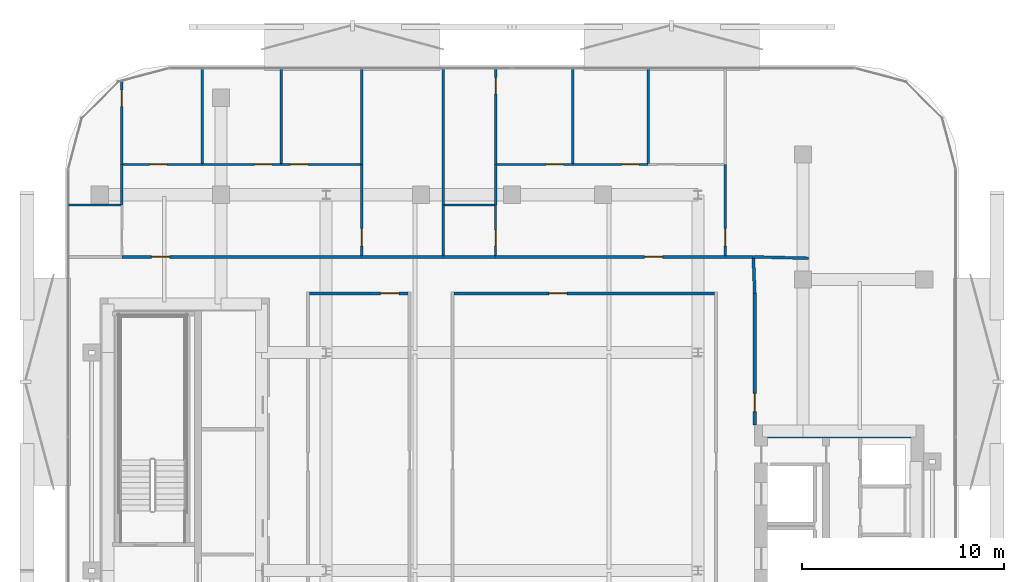
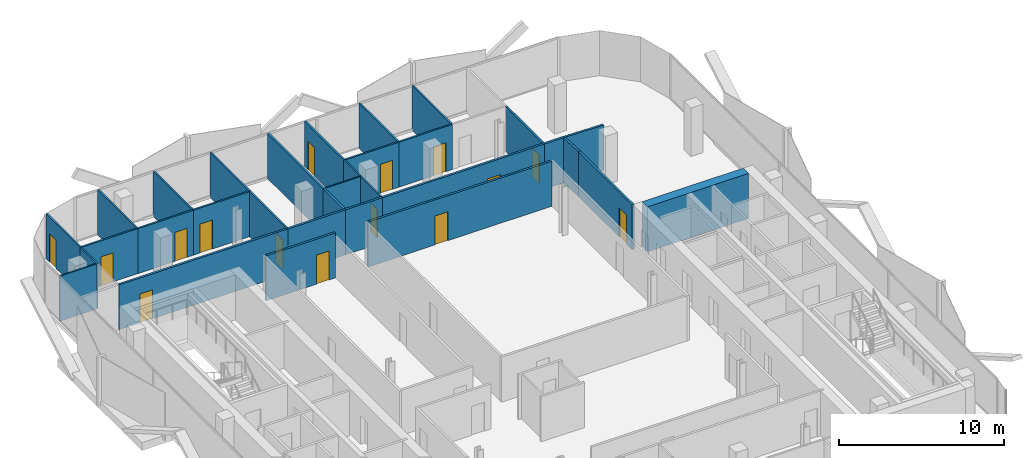
# One storey, part 6 of 14: 32 walls, 15 doors, 15 openings.
"""IFC4 building model written with IfcOpenShell, lengths in metres."""

from ifc_helpers import new_model, si_unit, direction, frame, frame_2d, origin, place, context, subcontext, project, spatial, rectangle, extrude, material, layer, layer_set, type_object, element, fill, save


model = new_model("IFC4")

# Units and contexts
model_context = context("Model", 3, precision=1e-05, world=origin(), true_north=direction((0.0, 1.0)))
body_context = subcontext(model_context, "Body", "Model", "MODEL_VIEW")
ifc_project = project(units=[si_unit("LENGTHUNIT", "METRE"), si_unit("AREAUNIT", "SQUARE_METRE"), si_unit("VOLUMEUNIT", "CUBIC_METRE"), si_unit("PLANEANGLEUNIT", "RADIAN"), si_unit("MASSUNIT", "GRAM", prefix="KILO")], contexts=[model_context])

# Site, building, storey
site_placement = place(None, origin())
site = spatial("IfcSite", under=ifc_project, at=site_placement, CompositionType="ELEMENT")
building_placement = place(site_placement, origin())
building = spatial("IfcBuilding", under=site, at=building_placement, Name="Khairoan Windgate Tower", CompositionType="ELEMENT")
storey_placement = place(building_placement, frame((0.0, 0.0, 229.60009765625)))
storey = spatial("IfcBuildingStorey", under=building, at=storey_placement, Name="L53", CompositionType="ELEMENT", Elevation=229.60009765625)

# Walls
ifc_material_1 = material(Name="Moisture-Resistant Gypsum Partition", Category="gypsum")
ifc_layer_1 = layer(ifc_material_1, 0.10009765625, Name="Moisture-Resistant Gypsum Partition")
ifc_layer_set_1 = layer_set([ifc_layer_1], Name="Moisture-Resistant Gypsum Partition")
wall_type_1 = type_object("IfcWallType", Name="Bathroom Wet-Area Partition Wall", PredefinedType="PARTITIONING", material=ifc_layer_set_1)
wall_1_placement = place(storey_placement, frame((-21.955078125, 18.10009765625, 0.0), z_axis=(0.0, 0.0, 1.0), x_axis=(1.0, 0.0, 0.0)))
element("IfcWall", 1, at=wall_1_placement, inside=storey, type_object=wall_type_1, Name="L53 Interior Partition 040", PredefinedType="PARTITIONING", context=body_context, shape_type="SweptSolid", body=[
    extrude(rectangle(XDim=2.594970703125, YDim=0.10009765625, at=frame_2d((1.29736328125, 0.0))), origin(), (0.0, 0.0, 1.0), 3.33984375),
])
wall_2_placement = place(storey_placement, frame((-3.330078125, 18.10009765625, 0.0), z_axis=(0.0, 0.0, 1.0), x_axis=(1.0, 0.0, 0.0)))
element("IfcWall", 2, at=wall_2_placement, inside=storey, type_object=wall_type_1, Name="L53 Interior Partition 053", PredefinedType="PARTITIONING", context=body_context, shape_type="SweptSolid", body=[
    extrude(rectangle(XDim=2.469970703125, YDim=0.10009765625, at=frame_2d((1.23486328125, 0.0))), origin(), (0.0, 0.0, 1.0), 3.33984375),
])

# Wall, opening, door
wall_3_placement = place(storey_placement, frame((-0.81005859375, 15.60009765625, 0.0), z_axis=(0.0, 0.0, 1.0), x_axis=(0.0, 1.0, 0.0)))
wall_3 = element("IfcWall", 3, at=wall_3_placement, inside=storey, type_object=wall_type_1, Name="L53 Interior Partition 054", PredefinedType="PARTITIONING", context=body_context, shape_type="SweptSolid", body=[
    extrude(rectangle(XDim=2.5, YDim=0.10009765625, at=frame_2d((1.25, 0.0))), origin(), (0.0, 0.0, 1.0), 3.33984375),
])
opening_1_placement = place(wall_3_placement, frame((0.4599609375, 0.0, 0.0)))
opening_1 = element("IfcOpeningElement", 4, at=opening_1_placement, cuts=wall_3, Name="Opening ID-BTH", PredefinedType="OPENING", context=body_context, shape_type="SweptSolid", body=[
    extrude(rectangle(XDim=0.800048828125, YDim=2.10009765625, at=frame_2d((0.39990234375, 1.050048828125))), frame((0.0, 0.06005859375, 0.0), z_axis=(0.0, -1.0, 0.0), x_axis=(1.0, 0.0, 0.0)), (0.0, 0.0, 1.0), 0.1201171875),
])
ifc_material_2 = material(Name="Teak Veneer Timber Leaf", Category="wood")
door_type_1 = type_object("IfcDoorType", Name="Internal Bathroom Door ID-BTH 800x2100", OperationType="NOTDEFINED", PredefinedType="DOOR", material=ifc_material_2)
door_1_placement = place(opening_1_placement, origin())
door_1 = element("IfcDoor", 5, at=door_1_placement, inside=storey, type_object=door_type_1, Name="L53 L53-40-L53-42 Door", OperationType="SINGLE_SWING_RIGHT", OverallHeight=2.10009765625, OverallWidth=0.800048828125, PredefinedType="DOOR", context=body_context, shape_type="SweptSolid", body=[
    extrude(rectangle(XDim=0.800048828125, YDim=2.10009765625, at=frame_2d((0.39990234375, 1.050048828125))), frame((0.0, 0.02490234375, 0.0), z_axis=(0.0, -1.0, 0.0), x_axis=(1.0, 0.0, 0.0)), (0.0, 0.0, 1.0), 0.050048828125),
])
fill(opening_1, door_1)

# Walls
ifc_material_3 = material(Name="Acoustic Fire-Rated Gypsum Partition", Category="gypsum")
ifc_layer_2 = layer(ifc_material_3, 0.139892578125, Name="Acoustic Fire-Rated Gypsum Partition")
ifc_layer_set_2 = layer_set([ifc_layer_2], Name="Acoustic Fire-Rated Gypsum Partition")
wall_type_2 = type_object("IfcWallType", Name="Inter-Tenancy Compartment Wall", PredefinedType="PARTITIONING", material=ifc_layer_set_2)
wall_4_placement = place(storey_placement, frame((-3.39990234375, 15.60009765625, 0.0), z_axis=(0.0, 0.0, 1.0), x_axis=(0.0, 1.0, 0.0)))
element("IfcWall", 6, at=wall_4_placement, inside=storey, type_object=wall_type_2, Name="L53 Interior Partition 049", PredefinedType="PARTITIONING", context=body_context, shape_type="SweptSolid", body=[
    extrude(rectangle(XDim=2.5, YDim=0.139892578125, at=frame_2d((1.25, 0.0))), origin(), (0.0, 0.0, 1.0), 3.33984375),
])
wall_5_placement = place(storey_placement, frame((-3.39990234375, 18.10009765625, 0.0), z_axis=(0.0, 0.0, 1.0), x_axis=(0.0, 1.0, 0.0)))
element("IfcWall", 7, at=wall_5_placement, inside=storey, type_object=wall_type_2, Name="L53 Interior Partition 050", PredefinedType="PARTITIONING", context=body_context, shape_type="SweptSolid", body=[
    extrude(rectangle(XDim=6.7548828125, YDim=0.139892578125, at=frame_2d((3.37744140625, 0.0))), origin(), (0.0, 0.0, 1.0), 3.33984375),
])
wall_6_placement = place(storey_placement, frame((11.93994140625, 15.52490234375, 0.0), z_axis=(0.0, 0.0, 1.0), x_axis=(0.999719241816, -0.023694673289, 0.0)))
element("IfcWall", 8, at=wall_6_placement, inside=storey, type_object=wall_type_2, Name="L53 Interior Partition 062", PredefinedType="PARTITIONING", context=body_context, shape_type="SweptSolid", body=[
    extrude(rectangle(XDim=2.74072265625, YDim=0.139892578125, at=frame_2d((1.370361328125, 0.0))), origin(), (0.0, 0.0, 1.0), 3.33984375),
])
ifc_material_4 = material(Name="Gypsum Stud Partition", Category="gypsum")
ifc_layer_3 = layer(ifc_material_4, 0.1201171875, Name="Gypsum Stud Partition")
ifc_layer_set_3 = layer_set([ifc_layer_3], Name="Gypsum Stud Partition")
wall_type_3 = type_object("IfcWallType", Name="Internal Room Partition Wall", PredefinedType="PARTITIONING", material=ifc_layer_set_3)
wall_7_placement = place(storey_placement, frame((-19.31005859375, 18.10009765625, 0.0), z_axis=(0.0, 0.0, 1.0), x_axis=(0.0, 1.0, 0.0)))
element("IfcWall", 9, at=wall_7_placement, inside=storey, type_object=wall_type_3, Name="L53 Interior Partition 042", PredefinedType="PARTITIONING", context=body_context, shape_type="SweptSolid", body=[
    extrude(rectangle(XDim=2.0, YDim=0.1201171875, at=frame_2d((1.0, 0.0))), origin(), (0.0, 0.0, 1.0), 3.33984375),
])

# Wall, opening, door
wall_8_placement = place(storey_placement, frame((-19.31005859375, 20.10009765625, 0.0), z_axis=(0.0, 0.0, 1.0), x_axis=(0.0, 1.0, 0.0)))
wall_8 = element("IfcWall", 10, at=wall_8_placement, inside=storey, type_object=wall_type_3, Name="L53 Interior Partition 043", PredefinedType="PARTITIONING", context=body_context, shape_type="SweptSolid", body=[
    extrude(rectangle(XDim=4.134521484375, YDim=0.1201171875, at=frame_2d((2.0673828125, 0.0))), origin(), (0.0, 0.0, 1.0), 3.33984375),
])
opening_2_placement = place(wall_8_placement, frame((2.874755859375, 0.0, 0.0)))
opening_2 = element("IfcOpeningElement", 11, at=opening_2_placement, cuts=wall_8, Name="Opening ID-BTH", PredefinedType="OPENING", context=body_context, shape_type="SweptSolid", body=[
    extrude(rectangle(XDim=0.800048828125, YDim=2.10009765625, at=frame_2d((0.39990234375, 1.050048828125))), frame((0.0, 0.070068359375, 0.0), z_axis=(0.0, -1.0, 0.0), x_axis=(1.0, 0.0, 0.0)), (0.0, 0.0, 1.0), 0.14013671875),
])
door_2_placement = place(opening_2_placement, origin())
door_2 = element("IfcDoor", 12, at=door_2_placement, inside=storey, type_object=door_type_1, Name="L53 L53-34-L53-37 Door", OperationType="SINGLE_SWING_RIGHT", OverallHeight=2.10009765625, OverallWidth=0.800048828125, PredefinedType="DOOR", context=body_context, shape_type="SweptSolid", body=[
    extrude(rectangle(XDim=0.800048828125, YDim=2.10009765625, at=frame_2d((0.39990234375, 1.050048828125))), frame((0.0, 0.02490234375, 0.0), z_axis=(0.0, -1.0, 0.0), x_axis=(1.0, 0.0, 0.0)), (0.0, 0.0, 1.0), 0.050048828125),
])
fill(opening_2, door_2)

wall_9_placement = place(storey_placement, frame((-7.43994140625, 15.60009765625, 0.0), z_axis=(0.0, 0.0, 1.0), x_axis=(0.0, 1.0, 0.0)))
wall_9 = element("IfcWall", 13, at=wall_9_placement, inside=storey, type_object=wall_type_3, Name="L53 Interior Partition 044", PredefinedType="PARTITIONING", context=body_context, shape_type="SweptSolid", body=[
    extrude(rectangle(XDim=4.5, YDim=0.1201171875, at=frame_2d((2.25, 0.0))), origin(), (0.0, 0.0, 1.0), 3.33984375),
])
opening_3_placement = place(wall_9_placement, frame((0.4599609375, 0.0, 0.0)))
opening_3 = element("IfcOpeningElement", 14, at=opening_3_placement, cuts=wall_9, Name="Opening ID-RM", PredefinedType="OPENING", context=body_context, shape_type="SweptSolid", body=[
    extrude(rectangle(XDim=0.860107421875, YDim=2.14990234375, at=frame_2d((0.43017578125, 1.074951171875))), frame((0.0, 0.070068359375, 0.0), z_axis=(0.0, -1.0, 0.0), x_axis=(1.0, 0.0, 0.0)), (0.0, 0.0, 1.0), 0.14013671875),
])
ifc_material_5 = material(Name="Teak Veneer Timber Leaf", Category="wood")
door_type_2 = type_object("IfcDoorType", Name="Internal Bedroom and Office Door ID-RM 860x2150", OperationType="NOTDEFINED", PredefinedType="DOOR", material=ifc_material_5)
door_3_placement = place(opening_3_placement, origin())
door_3 = element("IfcDoor", 15, at=door_3_placement, inside=storey, type_object=door_type_2, Name="L53 L53-35-L53-36 Door", OperationType="SINGLE_SWING_RIGHT", OverallHeight=2.14990234375, OverallWidth=0.860107421875, PredefinedType="DOOR", context=body_context, shape_type="SweptSolid", body=[
    extrude(rectangle(XDim=0.860107421875, YDim=2.14990234375, at=frame_2d((0.43017578125, 1.074951171875))), frame((0.0, 0.02490234375, 0.0), z_axis=(0.0, -1.0, 0.0), x_axis=(1.0, 0.0, 0.0)), (0.0, 0.0, 1.0), 0.050048828125),
])
fill(opening_3, door_3)

wall_10_placement = place(storey_placement, frame((-19.25, 20.10009765625, 0.0), z_axis=(0.0, 0.0, 1.0), x_axis=(1.0, 0.0, 0.0)))
wall_10 = element("IfcWall", 16, at=wall_10_placement, inside=storey, type_object=wall_type_3, Name="L53 Interior Partition 045", PredefinedType="PARTITIONING", context=body_context, shape_type="SweptSolid", body=[
    extrude(rectangle(XDim=3.923095703125, YDim=0.1201171875, at=frame_2d((1.96142578125, 0.0))), origin(), (0.0, 0.0, 1.0), 3.33984375),
])
opening_4_placement = place(wall_10_placement, frame((1.317138671875, 0.0, 0.0)))
opening_4 = element("IfcOpeningElement", 17, at=opening_4_placement, cuts=wall_10, Name="Opening ID-RM", PredefinedType="OPENING", context=body_context, shape_type="SweptSolid", body=[
    extrude(rectangle(XDim=0.860107421875, YDim=2.14990234375, at=frame_2d((0.43017578125, 1.074951171875))), frame((0.0, 0.070068359375, 0.0), z_axis=(0.0, -1.0, 0.0), x_axis=(1.0, 0.0, 0.0)), (0.0, 0.0, 1.0), 0.14013671875),
])
door_4_placement = place(opening_4_placement, origin())
door_4 = element("IfcDoor", 18, at=door_4_placement, inside=storey, type_object=door_type_2, Name="L53 L53-35-L53-37 Door", OperationType="SINGLE_SWING_LEFT", OverallHeight=2.14990234375, OverallWidth=0.860107421875, PredefinedType="DOOR", context=body_context, shape_type="SweptSolid", body=[
    extrude(rectangle(XDim=0.860107421875, YDim=2.14990234375, at=frame_2d((0.43017578125, 1.074951171875))), frame((0.0, 0.02490234375, 0.0), z_axis=(0.0, -1.0, 0.0), x_axis=(1.0, 0.0, 0.0)), (0.0, 0.0, 1.0), 0.050048828125),
])
fill(opening_4, door_4)

wall_11_placement = place(storey_placement, frame((-15.326904296875, 20.10009765625, 0.0), z_axis=(0.0, 0.0, 1.0), x_axis=(1.0, 0.0, 0.0)))
wall_11 = element("IfcWall", 19, at=wall_11_placement, inside=storey, type_object=wall_type_3, Name="L53 Interior Partition 046", PredefinedType="PARTITIONING", context=body_context, shape_type="SweptSolid", body=[
    extrude(rectangle(XDim=3.90380859375, YDim=0.1201171875, at=frame_2d((1.951904296875, 0.0))), origin(), (0.0, 0.0, 1.0), 3.33984375),
])
opening_5_placement = place(wall_11_placement, frame((2.583984375, 0.0, 0.0)))
opening_5 = element("IfcOpeningElement", 20, at=opening_5_placement, cuts=wall_11, Name="Opening ID-RM", PredefinedType="OPENING", context=body_context, shape_type="SweptSolid", body=[
    extrude(rectangle(XDim=0.860107421875, YDim=2.14990234375, at=frame_2d((0.43017578125, 1.074951171875))), frame((0.0, 0.070068359375, 0.0), z_axis=(0.0, -1.0, 0.0), x_axis=(1.0, 0.0, 0.0)), (0.0, 0.0, 1.0), 0.14013671875),
])
door_5_placement = place(opening_5_placement, origin())
door_5 = element("IfcDoor", 21, at=door_5_placement, inside=storey, type_object=door_type_2, Name="L53 L53-35-L53-38 Door", OperationType="SINGLE_SWING_RIGHT", OverallHeight=2.14990234375, OverallWidth=0.860107421875, PredefinedType="DOOR", context=body_context, shape_type="SweptSolid", body=[
    extrude(rectangle(XDim=0.860107421875, YDim=2.14990234375, at=frame_2d((0.43017578125, 1.074951171875))), frame((0.0, 0.02490234375, 0.0), z_axis=(0.0, -1.0, 0.0), x_axis=(1.0, 0.0, 0.0)), (0.0, 0.0, 1.0), 0.050048828125),
])
fill(opening_5, door_5)

wall_12_placement = place(storey_placement, frame((-11.423095703125, 20.10009765625, 0.0), z_axis=(0.0, 0.0, 1.0), x_axis=(1.0, 0.0, 0.0)))
wall_12 = element("IfcWall", 22, at=wall_12_placement, inside=storey, type_object=wall_type_3, Name="L53 Interior Partition 047", PredefinedType="PARTITIONING", context=body_context, shape_type="SweptSolid", body=[
    extrude(rectangle(XDim=3.923095703125, YDim=0.1201171875, at=frame_2d((1.96142578125, 0.0))), origin(), (0.0, 0.0, 1.0), 3.33984375),
])
opening_6_placement = place(wall_12_placement, frame((0.4599609375, 0.0, 0.0)))
opening_6 = element("IfcOpeningElement", 23, at=opening_6_placement, cuts=wall_12, Name="Opening ID-RM", PredefinedType="OPENING", context=body_context, shape_type="SweptSolid", body=[
    extrude(rectangle(XDim=0.860107421875, YDim=2.14990234375, at=frame_2d((0.43017578125, 1.074951171875))), frame((0.0, 0.070068359375, 0.0), z_axis=(0.0, -1.0, 0.0), x_axis=(1.0, 0.0, 0.0)), (0.0, 0.0, 1.0), 0.14013671875),
])
door_6_placement = place(opening_6_placement, origin())
door_6 = element("IfcDoor", 24, at=door_6_placement, inside=storey, type_object=door_type_2, Name="L53 L53-35-L53-39 Door", OperationType="SINGLE_SWING_LEFT", OverallHeight=2.14990234375, OverallWidth=0.860107421875, PredefinedType="DOOR", context=body_context, shape_type="SweptSolid", body=[
    extrude(rectangle(XDim=0.860107421875, YDim=2.14990234375, at=frame_2d((0.43017578125, 1.074951171875))), frame((0.0, 0.02490234375, 0.0), z_axis=(0.0, -1.0, 0.0), x_axis=(1.0, 0.0, 0.0)), (0.0, 0.0, 1.0), 0.050048828125),
])
fill(opening_6, door_6)

# Walls
wall_13_placement = place(storey_placement, frame((-7.43994140625, 20.10009765625, 0.0), z_axis=(0.0, 0.0, 1.0), x_axis=(0.0, 1.0, 0.0)))
element("IfcWall", 25, at=wall_13_placement, inside=storey, type_object=wall_type_3, Name="L53 Interior Partition 048", PredefinedType="PARTITIONING", context=body_context, shape_type="SweptSolid", body=[
    extrude(rectangle(XDim=4.7548828125, YDim=0.1201171875, at=frame_2d((2.37744140625, 0.0))), origin(), (0.0, 0.0, 1.0), 3.33984375),
])
for number, where, z_axis, x_axis, name in (
    (26, (-15.326904296875, 20.159912109375, 0.0), (0.0, 0.0, 1.0), (0.0, 1.0, 0.0), "L53 Interior Partition 051"),
    (27, (-11.423095703125, 20.159912109375, 0.0), (0.0, 0.0, 1.0), (0.0, 1.0, 0.0), "L53 Interior Partition 052"),
):
    element("IfcWall", number, at=place(storey_placement, frame(where, z_axis=z_axis, x_axis=x_axis)), inside=storey, type_object=wall_type_3, Name=name, PredefinedType="PARTITIONING", context=body_context, shape_type="SweptSolid", body=[
        extrude(rectangle(XDim=4.695068359375, YDim=0.1201171875, at=frame_2d((2.34765625, 0.0))), origin(), (0.0, 0.0, 1.0), 3.33984375),
    ])
wall_14_placement = place(storey_placement, frame((-0.81005859375, 18.10009765625, 0.0), z_axis=(0.0, 0.0, 1.0), x_axis=(0.0, 1.0, 0.0)))
element("IfcWall", 28, at=wall_14_placement, inside=storey, type_object=wall_type_3, Name="L53 Interior Partition 055", PredefinedType="PARTITIONING", context=body_context, shape_type="SweptSolid", body=[
    extrude(rectangle(XDim=2.0, YDim=0.1201171875, at=frame_2d((1.0, 0.0))), origin(), (0.0, 0.0, 1.0), 3.33984375),
])

# Wall, opening, door
wall_15_placement = place(storey_placement, frame((-0.81005859375, 20.10009765625, 0.0), z_axis=(0.0, 0.0, 1.0), x_axis=(0.0, 1.0, 0.0)))
wall_15 = element("IfcWall", 29, at=wall_15_placement, inside=storey, type_object=wall_type_3, Name="L53 Interior Partition 056", PredefinedType="PARTITIONING", context=body_context, shape_type="SweptSolid", body=[
    extrude(rectangle(XDim=4.7548828125, YDim=0.1201171875, at=frame_2d((2.37744140625, 0.0))), origin(), (0.0, 0.0, 1.0), 3.33984375),
])
opening_7_placement = place(wall_15_placement, frame((3.4951171875, 0.0, 0.0)))
opening_7 = element("IfcOpeningElement", 30, at=opening_7_placement, cuts=wall_15, Name="Opening ID-BTH", PredefinedType="OPENING", context=body_context, shape_type="SweptSolid", body=[
    extrude(rectangle(XDim=0.800048828125, YDim=2.10009765625, at=frame_2d((0.39990234375, 1.050048828125))), frame((0.0, 0.070068359375, 0.0), z_axis=(0.0, -1.0, 0.0), x_axis=(1.0, 0.0, 0.0)), (0.0, 0.0, 1.0), 0.14013671875),
])
door_7_placement = place(opening_7_placement, origin())
door_7 = element("IfcDoor", 31, at=door_7_placement, inside=storey, type_object=door_type_1, Name="L53 L53-41-L53-44 Door", OperationType="SINGLE_SWING_LEFT", OverallHeight=2.10009765625, OverallWidth=0.800048828125, PredefinedType="DOOR", context=body_context, shape_type="SweptSolid", body=[
    extrude(rectangle(XDim=0.800048828125, YDim=2.10009765625, at=frame_2d((0.39990234375, 1.050048828125))), frame((0.0, 0.02490234375, 0.0), z_axis=(0.0, -1.0, 0.0), x_axis=(1.0, 0.0, 0.0)), (0.0, 0.0, 1.0), 0.050048828125),
])
fill(opening_7, door_7)

wall_16_placement = place(storey_placement, frame((10.56005859375, 15.60009765625, 0.0), z_axis=(0.0, 0.0, 1.0), x_axis=(0.0, 1.0, 0.0)))
wall_16 = element("IfcWall", 32, at=wall_16_placement, inside=storey, type_object=wall_type_3, Name="L53 Interior Partition 057", PredefinedType="PARTITIONING", context=body_context, shape_type="SweptSolid", body=[
    extrude(rectangle(XDim=4.5, YDim=0.1201171875, at=frame_2d((2.25, 0.0))), origin(), (0.0, 0.0, 1.0), 3.33984375),
])
opening_8_placement = place(wall_16_placement, frame((0.4599609375, 0.0, 0.0)))
opening_8 = element("IfcOpeningElement", 33, at=opening_8_placement, cuts=wall_16, Name="Opening ID-RM", PredefinedType="OPENING", context=body_context, shape_type="SweptSolid", body=[
    extrude(rectangle(XDim=0.860107421875, YDim=2.14990234375, at=frame_2d((0.43017578125, 1.074951171875))), frame((0.0, 0.070068359375, 0.0), z_axis=(0.0, -1.0, 0.0), x_axis=(1.0, 0.0, 0.0)), (0.0, 0.0, 1.0), 0.14013671875),
])
door_8_placement = place(opening_8_placement, origin())
door_8 = element("IfcDoor", 34, at=door_8_placement, inside=storey, type_object=door_type_2, Name="L53 L53-42-L53-43 Door", OperationType="SINGLE_SWING_RIGHT", OverallHeight=2.14990234375, OverallWidth=0.860107421875, PredefinedType="DOOR", context=body_context, shape_type="SweptSolid", body=[
    extrude(rectangle(XDim=0.860107421875, YDim=2.14990234375, at=frame_2d((0.43017578125, 1.074951171875))), frame((0.0, 0.02490234375, 0.0), z_axis=(0.0, -1.0, 0.0), x_axis=(1.0, 0.0, 0.0)), (0.0, 0.0, 1.0), 0.050048828125),
])
fill(opening_8, door_8)

wall_17_placement = place(storey_placement, frame((-0.75, 20.10009765625, 0.0), z_axis=(0.0, 0.0, 1.0), x_axis=(1.0, 0.0, 0.0)))
wall_17 = element("IfcWall", 35, at=wall_17_placement, inside=storey, type_object=wall_type_3, Name="L53 Interior Partition 058", PredefinedType="PARTITIONING", context=body_context, shape_type="SweptSolid", body=[
    extrude(rectangle(XDim=3.757080078125, YDim=0.1201171875, at=frame_2d((1.87841796875, 0.0))), origin(), (0.0, 0.0, 1.0), 3.33984375),
])
opening_9_placement = place(wall_17_placement, frame((2.43701171875, 0.0, 0.0)))
opening_9 = element("IfcOpeningElement", 36, at=opening_9_placement, cuts=wall_17, Name="Opening ID-RM", PredefinedType="OPENING", context=body_context, shape_type="SweptSolid", body=[
    extrude(rectangle(XDim=0.860107421875, YDim=2.14990234375, at=frame_2d((0.43017578125, 1.074951171875))), frame((0.0, 0.070068359375, 0.0), z_axis=(0.0, -1.0, 0.0), x_axis=(1.0, 0.0, 0.0)), (0.0, 0.0, 1.0), 0.14013671875),
])
door_9_placement = place(opening_9_placement, origin())
door_9 = element("IfcDoor", 37, at=door_9_placement, inside=storey, type_object=door_type_2, Name="L53 L53-42-L53-44 Door", OperationType="SINGLE_SWING_LEFT", OverallHeight=2.14990234375, OverallWidth=0.860107421875, PredefinedType="DOOR", context=body_context, shape_type="SweptSolid", body=[
    extrude(rectangle(XDim=0.860107421875, YDim=2.14990234375, at=frame_2d((0.43017578125, 1.074951171875))), frame((0.0, 0.02490234375, 0.0), z_axis=(0.0, -1.0, 0.0), x_axis=(1.0, 0.0, 0.0)), (0.0, 0.0, 1.0), 0.050048828125),
])
fill(opening_9, door_9)

wall_18_placement = place(storey_placement, frame((3.007080078125, 20.10009765625, 0.0), z_axis=(0.0, 0.0, 1.0), x_axis=(1.0, 0.0, 0.0)))
wall_18 = element("IfcWall", 38, at=wall_18_placement, inside=storey, type_object=wall_type_3, Name="L53 Interior Partition 059", PredefinedType="PARTITIONING", context=body_context, shape_type="SweptSolid", body=[
    extrude(rectangle(XDim=3.73583984375, YDim=0.1201171875, at=frame_2d((1.867919921875, 0.0))), origin(), (0.0, 0.0, 1.0), 3.33984375),
])
opening_10_placement = place(wall_18_placement, frame((2.416015625, 0.0, 0.0)))
opening_10 = element("IfcOpeningElement", 39, at=opening_10_placement, cuts=wall_18, Name="Opening ID-RM", PredefinedType="OPENING", context=body_context, shape_type="SweptSolid", body=[
    extrude(rectangle(XDim=0.860107421875, YDim=2.14990234375, at=frame_2d((0.43017578125, 1.074951171875))), frame((0.0, 0.070068359375, 0.0), z_axis=(0.0, -1.0, 0.0), x_axis=(1.0, 0.0, 0.0)), (0.0, 0.0, 1.0), 0.14013671875),
])
door_10_placement = place(opening_10_placement, origin())
door_10 = element("IfcDoor", 40, at=door_10_placement, inside=storey, type_object=door_type_2, Name="L53 L53-42-L53-45 Door", OperationType="SINGLE_SWING_RIGHT", OverallHeight=2.14990234375, OverallWidth=0.860107421875, PredefinedType="DOOR", context=body_context, shape_type="SweptSolid", body=[
    extrude(rectangle(XDim=0.860107421875, YDim=2.14990234375, at=frame_2d((0.43017578125, 1.074951171875))), frame((0.0, 0.02490234375, 0.0), z_axis=(0.0, -1.0, 0.0), x_axis=(1.0, 0.0, 0.0)), (0.0, 0.0, 1.0), 0.050048828125),
])
fill(opening_10, door_10)

# Walls
for number, where, z_axis, x_axis, name in (
    (41, (3.007080078125, 20.159912109375, 0.0), (0.0, 0.0, 1.0), (0.0, 1.0, 0.0), "L53 Interior Partition 063"),
    (42, (6.742919921875, 20.159912109375, 0.0), (0.0, 0.0, 1.0), (0.0, 1.0, 0.0), "L53 Interior Partition 064"),
):
    element("IfcWall", number, at=place(storey_placement, frame(where, z_axis=z_axis, x_axis=x_axis)), inside=storey, type_object=wall_type_3, Name=name, PredefinedType="PARTITIONING", context=body_context, shape_type="SweptSolid", body=[
        extrude(rectangle(XDim=4.695068359375, YDim=0.1201171875, at=frame_2d((2.34765625, 0.0))), origin(), (0.0, 0.0, 1.0), 3.33984375),
    ])

# Wall, opening, door
ifc_material_6 = material(Name="Acoustic Fire-Rated Gypsum Partition", Category="gypsum")
ifc_layer_4 = layer(ifc_material_6, 0.14990234375, Name="Acoustic Fire-Rated Gypsum Partition")
ifc_layer_set_4 = layer_set([ifc_layer_4], Name="Acoustic Fire-Rated Gypsum Partition")
wall_type_4 = type_object("IfcWallType", Name="Rated Corridor Partition Wall", PredefinedType="PARTITIONING", material=ifc_layer_set_4)
wall_19_placement = place(storey_placement, frame((12.014892578125, 7.199951171875, 0.0), z_axis=(0.0, 0.0, 1.0), x_axis=(0.0, 1.0, 0.0)))
wall_19 = element("IfcWall", 43, at=wall_19_placement, inside=storey, type_object=wall_type_4, Name="L53 Interior Partition 015", PredefinedType="PARTITIONING", context=body_context, shape_type="SweptSolid", body=[
    extrude(rectangle(XDim=6.52001953125, YDim=0.14990234375, at=frame_2d((3.260009765625, 0.0))), origin(), (0.0, 0.0, 1.0), 3.33984375),
])
opening_11_placement = place(wall_19_placement, frame((0.669921875, 0.0, 0.0)))
opening_11 = element("IfcOpeningElement", 44, at=opening_11_placement, cuts=wall_19, Name="Opening FD-ENT", PredefinedType="OPENING", context=body_context, shape_type="SweptSolid", body=[
    extrude(rectangle(XDim=0.89990234375, YDim=2.14990234375, at=frame_2d((0.449951171875, 1.074951171875))), frame((0.0, 0.0849609375, 0.0), z_axis=(0.0, -1.0, 0.0), x_axis=(1.0, 0.0, 0.0)), (0.0, 0.0, 1.0), 0.169921875),
])
ifc_material_7 = material(Name="Timber Fire-Rated Core", Category="wood")
door_type_3 = type_object("IfcDoorType", Name="Unit and Office Fire Entrance Door FD-ENT 900x2150", OperationType="NOTDEFINED", PredefinedType="DOOR", material=ifc_material_7)
door_11_placement = place(opening_11_placement, origin())
door_11 = element("IfcDoor", 45, at=door_11_placement, inside=storey, type_object=door_type_3, Name="L53 L53-28-L53-61 Door", OperationType="SINGLE_SWING_RIGHT", OverallHeight=2.14990234375, OverallWidth=0.89990234375, PredefinedType="DOOR", context=body_context, shape_type="SweptSolid", body=[
    extrude(rectangle(XDim=0.89990234375, YDim=2.14990234375, at=frame_2d((0.449951171875, 1.074951171875))), frame((0.0, 0.02490234375, 0.0), z_axis=(0.0, -1.0, 0.0), x_axis=(1.0, 0.0, 0.0)), (0.0, 0.0, 1.0), 0.050048828125),
])
fill(opening_11, door_11)

wall_20_placement = place(storey_placement, frame((-19.31005859375, 15.52490234375, 0.0), z_axis=(0.0, 0.0, 1.0), x_axis=(1.0, 0.0, 0.0)))
wall_20 = element("IfcWall", 46, at=wall_20_placement, inside=storey, type_object=wall_type_4, Name="L53 Interior Partition 025", PredefinedType="PARTITIONING", context=body_context, shape_type="SweptSolid", body=[
    extrude(rectangle(XDim=11.8701171875, YDim=0.14990234375, at=frame_2d((5.93505859375, 0.0))), origin(), (0.0, 0.0, 1.0), 3.33984375),
])
opening_12_placement = place(wall_20_placement, frame((1.465087890625, 0.0, 0.0)))
opening_12 = element("IfcOpeningElement", 47, at=opening_12_placement, cuts=wall_20, Name="Opening FD-ENT", PredefinedType="OPENING", context=body_context, shape_type="SweptSolid", body=[
    extrude(rectangle(XDim=0.89990234375, YDim=2.14990234375, at=frame_2d((0.449951171875, 1.074951171875))), frame((0.0, 0.0849609375, 0.0), z_axis=(0.0, -1.0, 0.0), x_axis=(1.0, 0.0, 0.0)), (0.0, 0.0, 1.0), 0.169921875),
])
door_12_placement = place(opening_12_placement, origin())
door_12 = element("IfcDoor", 48, at=door_12_placement, inside=storey, type_object=door_type_3, Name="L53 L53-31-L53-35 Door", OperationType="SINGLE_SWING_LEFT", OverallHeight=2.14990234375, OverallWidth=0.89990234375, PredefinedType="DOOR", context=body_context, shape_type="SweptSolid", body=[
    extrude(rectangle(XDim=0.89990234375, YDim=2.14990234375, at=frame_2d((0.449951171875, 1.074951171875))), frame((0.0, 0.02490234375, 0.0), z_axis=(0.0, -1.0, 0.0), x_axis=(1.0, 0.0, 0.0)), (0.0, 0.0, 1.0), 0.050048828125),
])
fill(opening_12, door_12)

# Walls
wall_21_placement = place(storey_placement, frame((-7.43994140625, 15.52490234375, 0.0), z_axis=(0.0, 0.0, 1.0), x_axis=(1.0, 0.0, 0.0)))
element("IfcWall", 49, at=wall_21_placement, inside=storey, type_object=wall_type_4, Name="L53 Interior Partition 026", PredefinedType="PARTITIONING", context=body_context, shape_type="SweptSolid", body=[
    extrude(rectangle(XDim=4.0400390625, YDim=0.14990234375, at=frame_2d((2.02001953125, 0.0))), origin(), (0.0, 0.0, 1.0), 3.33984375),
])
wall_22_placement = place(storey_placement, frame((-3.39990234375, 15.52490234375, 0.0), z_axis=(0.0, 0.0, 1.0), x_axis=(1.0, 0.0, 0.0)))
element("IfcWall", 50, at=wall_22_placement, inside=storey, type_object=wall_type_4, Name="L53 Interior Partition 027", PredefinedType="PARTITIONING", context=body_context, shape_type="SweptSolid", body=[
    extrude(rectangle(XDim=2.58984375, YDim=0.14990234375, at=frame_2d((1.294921875, 0.0))), origin(), (0.0, 0.0, 1.0), 3.33984375),
])

# Wall, opening, door
wall_23_placement = place(storey_placement, frame((-0.81005859375, 15.52490234375, 0.0), z_axis=(0.0, 0.0, 1.0), x_axis=(1.0, 0.0, 0.0)))
wall_23 = element("IfcWall", 51, at=wall_23_placement, inside=storey, type_object=wall_type_4, Name="L53 Interior Partition 028", PredefinedType="PARTITIONING", context=body_context, shape_type="SweptSolid", body=[
    extrude(rectangle(XDim=11.3701171875, YDim=0.14990234375, at=frame_2d((5.68505859375, 0.0))), origin(), (0.0, 0.0, 1.0), 3.33984375),
])
opening_13_placement = place(wall_23_placement, frame((7.368408203125, 0.0, 0.0)))
opening_13 = element("IfcOpeningElement", 52, at=opening_13_placement, cuts=wall_23, Name="Opening FD-ENT", PredefinedType="OPENING", context=body_context, shape_type="SweptSolid", body=[
    extrude(rectangle(XDim=0.89990234375, YDim=2.14990234375, at=frame_2d((0.449951171875, 1.074951171875))), frame((0.0, 0.0849609375, 0.0), z_axis=(0.0, -1.0, 0.0), x_axis=(1.0, 0.0, 0.0)), (0.0, 0.0, 1.0), 0.169921875),
])
door_13_placement = place(opening_13_placement, origin())
door_13 = element("IfcDoor", 53, at=door_13_placement, inside=storey, type_object=door_type_3, Name="L53 L53-31-L53-42 Door", OperationType="SINGLE_SWING_RIGHT", OverallHeight=2.14990234375, OverallWidth=0.89990234375, PredefinedType="DOOR", context=body_context, shape_type="SweptSolid", body=[
    extrude(rectangle(XDim=0.89990234375, YDim=2.14990234375, at=frame_2d((0.449951171875, 1.074951171875))), frame((0.0, 0.02490234375, 0.0), z_axis=(0.0, -1.0, 0.0), x_axis=(1.0, 0.0, 0.0)), (0.0, 0.0, 1.0), 0.050048828125),
])
fill(opening_13, door_13)

# Walls
wall_24_placement = place(storey_placement, frame((10.56005859375, 15.52490234375, 0.0), z_axis=(0.0, 0.0, 1.0), x_axis=(1.0, 0.0, 0.0)))
element("IfcWall", 54, at=wall_24_placement, inside=storey, type_object=wall_type_4, Name="L53 Interior Partition 029", PredefinedType="PARTITIONING", context=body_context, shape_type="SweptSolid", body=[
    extrude(rectangle(XDim=1.3798828125, YDim=0.14990234375, at=frame_2d((0.68994140625, 0.0))), origin(), (0.0, 0.0, 1.0), 3.33984375),
])
wall_25_placement = place(storey_placement, frame((12.014892578125, 13.719970703125, 0.0), z_axis=(0.0, 0.0, 1.0), x_axis=(-0.040046877756, 0.99919780203, 0.0)))
element("IfcWall", 55, at=wall_25_placement, inside=storey, type_object=wall_type_4, Name="L53 Interior Partition 030", PredefinedType="PARTITIONING", context=body_context, shape_type="SweptSolid", body=[
    extrude(rectangle(XDim=1.7314453125, YDim=0.14990234375, at=frame_2d((0.86572265625, 0.0))), origin(), (0.0, 0.0, 1.0), 3.33984375),
])

# Wall, opening, door
wall_26_placement = place(storey_placement, frame((-10.02490234375, 13.719970703125, 0.0), z_axis=(0.0, 0.0, 1.0), x_axis=(1.0, 0.0, 0.0)))
wall_26 = element("IfcWall", 56, at=wall_26_placement, inside=storey, type_object=wall_type_4, Name="L53 Interior Partition 031", PredefinedType="PARTITIONING", context=body_context, shape_type="SweptSolid", body=[
    extrude(rectangle(XDim=4.885009765625, YDim=0.14990234375, at=frame_2d((2.4423828125, 0.0))), origin(), (0.0, 0.0, 1.0), 3.33984375),
])
opening_14_placement = place(wall_26_placement, frame((3.52490234375, 0.0, 0.0)))
opening_14 = element("IfcOpeningElement", 57, at=opening_14_placement, cuts=wall_26, Name="Opening FD-ENT", PredefinedType="OPENING", context=body_context, shape_type="SweptSolid", body=[
    extrude(rectangle(XDim=0.89990234375, YDim=2.14990234375, at=frame_2d((0.449951171875, 1.074951171875))), frame((0.0, 0.0849609375, 0.0), z_axis=(0.0, -1.0, 0.0), x_axis=(1.0, 0.0, 0.0)), (0.0, 0.0, 1.0), 0.169921875),
])
door_14_placement = place(opening_14_placement, origin())
door_14 = element("IfcDoor", 58, at=door_14_placement, inside=storey, type_object=door_type_3, Name="L53 L53-31-L53-62 Door", OperationType="SINGLE_SWING_RIGHT", OverallHeight=2.14990234375, OverallWidth=0.89990234375, PredefinedType="DOOR", context=body_context, shape_type="SweptSolid", body=[
    extrude(rectangle(XDim=0.89990234375, YDim=2.14990234375, at=frame_2d((0.449951171875, 1.074951171875))), frame((0.0, 0.02490234375, 0.0), z_axis=(0.0, -1.0, 0.0), x_axis=(1.0, 0.0, 0.0)), (0.0, 0.0, 1.0), 0.050048828125),
])
fill(opening_14, door_14)

wall_27_placement = place(storey_placement, frame((-2.860107421875, 13.719970703125, 0.0), z_axis=(0.0, 0.0, 1.0), x_axis=(1.0, 0.0, 0.0)))
wall_27 = element("IfcWall", 59, at=wall_27_placement, inside=storey, type_object=wall_type_4, Name="L53 Interior Partition 032", PredefinedType="PARTITIONING", context=body_context, shape_type="SweptSolid", body=[
    extrude(rectangle(XDim=12.885009765625, YDim=0.14990234375, at=frame_2d((6.4423828125, 0.0))), origin(), (0.0, 0.0, 1.0), 3.33984375),
])
opening_15_placement = place(wall_27_placement, frame((4.684814453125, 0.0, 0.0)))
opening_15 = element("IfcOpeningElement", 60, at=opening_15_placement, cuts=wall_27, Name="Opening FD-ENT", PredefinedType="OPENING", context=body_context, shape_type="SweptSolid", body=[
    extrude(rectangle(XDim=0.89990234375, YDim=2.14990234375, at=frame_2d((0.449951171875, 1.074951171875))), frame((0.0, 0.0849609375, 0.0), z_axis=(0.0, -1.0, 0.0), x_axis=(1.0, 0.0, 0.0)), (0.0, 0.0, 1.0), 0.169921875),
])
door_15_placement = place(opening_15_placement, origin())
door_15 = element("IfcDoor", 61, at=door_15_placement, inside=storey, type_object=door_type_3, Name="L53 L53-31-L53-64 Door", OperationType="SINGLE_SWING_LEFT", OverallHeight=2.14990234375, OverallWidth=0.89990234375, PredefinedType="DOOR", context=body_context, shape_type="SweptSolid", body=[
    extrude(rectangle(XDim=0.89990234375, YDim=2.14990234375, at=frame_2d((0.449951171875, 1.074951171875))), frame((0.0, 0.02490234375, 0.0), z_axis=(0.0, -1.0, 0.0), x_axis=(1.0, 0.0, 0.0)), (0.0, 0.0, 1.0), 0.050048828125),
])
fill(opening_15, door_15)

# Wall
ifc_material_8 = material(Name="Concrete C60/75", Category="concrete")
ifc_layer_5 = layer(ifc_material_8, 0.64990234375, Name="Concrete C60/75")
ifc_layer_set_5 = layer_set([ifc_layer_5], Name="Concrete C60/75")
wall_type_5 = type_object("IfcWallType", Name="Shear Wall CW-E2 650mm", PredefinedType="SHEAR", material=ifc_layer_set_5)
wall_28_placement = place(storey_placement, frame((12.64990234375, 6.875, 0.0), z_axis=(0.0, 0.0, 1.0), x_axis=(1.0, 0.0, 0.0)))
element("IfcWall", 62, at=wall_28_placement, inside=storey, type_object=wall_type_5, Name="E Core North Shear Wall L53", PredefinedType="SHEAR", context=body_context, shape_type="SweptSolid", body=[
    extrude(rectangle(XDim=7.10009765625, YDim=0.64990234375, at=frame_2d((3.550048828125, 0.0))), origin(), (0.0, 0.0, 1.0), 3.33984375),
])

save(model, "model.ifc")
